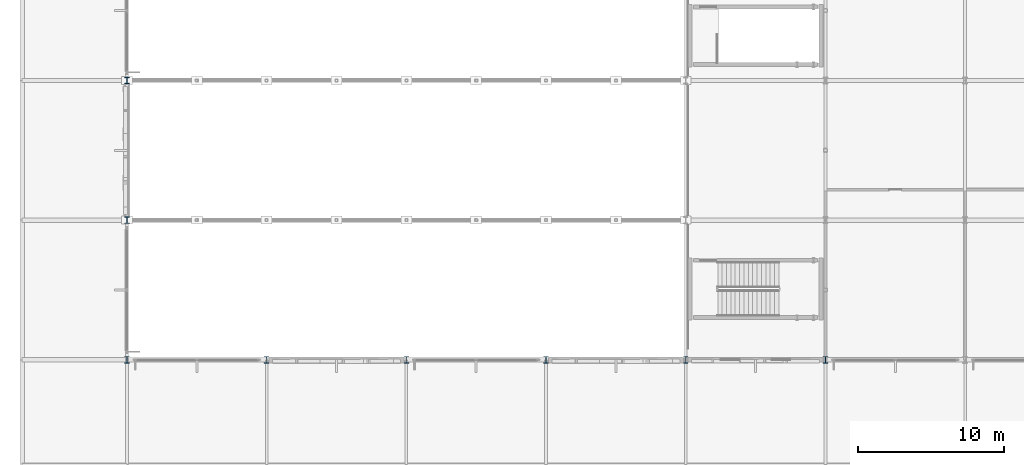
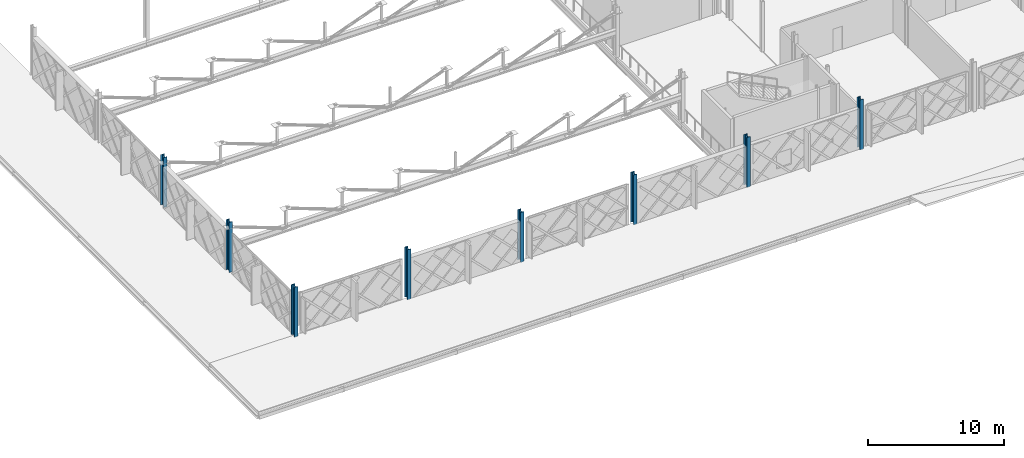
# One storey, part 1 of 101: 8 columns.
"""IFC4 building model written with IfcOpenShell, lengths in metres."""

from ifc_helpers import new_model, si_unit, direction, frame, origin, origin_2d, place, context, subcontext, project, spatial, i_section, extrude, material, material_profile, profile_set, type_object, element, save


model = new_model("IFC4")

# Units and contexts
model_context = context("Model", 3, precision=1e-05, world=origin(), true_north=direction((0.0, 1.0)))
body_context = subcontext(model_context, "Body", "Model", "MODEL_VIEW")
ifc_project = project(units=[si_unit("LENGTHUNIT", "METRE"), si_unit("AREAUNIT", "SQUARE_METRE"), si_unit("VOLUMEUNIT", "CUBIC_METRE"), si_unit("PLANEANGLEUNIT", "RADIAN"), si_unit("MASSUNIT", "GRAM", prefix="KILO")], contexts=[model_context])

# Site, building, storey
site_placement = place(None, origin())
site = spatial("IfcSite", under=ifc_project, at=site_placement, CompositionType="ELEMENT")
building_placement = place(site_placement, origin())
building = spatial("IfcBuilding", under=site, at=building_placement, Name="Zevrakil Square Congress Hotel", CompositionType="ELEMENT")
storey_placement = place(building_placement, frame((0.0, 0.0, 5.39990234375)))
storey = spatial("IfcBuildingStorey", under=building, at=storey_placement, Name="L02", CompositionType="ELEMENT", Elevation=5.39990234375)

# Columns
ifc_material = material(Name="Steel S355", Category="steel")
ifc_material_profile = material_profile(ifc_material, i_section(OverallWidth=0.300048828125, OverallDepth=0.449951171875, WebThickness=0.013916015625, FlangeThickness=0.02587890625, FilletRadius=0.027099609375, at=origin_2d()), Name="HEB 450")
ifc_profile_set = profile_set([ifc_material_profile], Name="Steel S355")
column_type = type_object("IfcColumnType", Name="COL-HEB450", PredefinedType="COLUMN", material=ifc_profile_set)
for number, where, z_axis, x_axis, name in (
    (1, (7.199951171875, 7.199951171875, 0.0), (0.0, 0.0, 1.0), (1.0, 0.0, 0.0), "L02 column C-015"),
    (2, (7.199951171875, 16.800048828125, 0.0), (0.0, 0.0, 1.0), (1.0, 0.0, 0.0), "L02 column C-016"),
    (3, (7.199951171875, 26.39990234375, 0.0), (0.0, 0.0, 1.0), (1.0, 0.0, 0.0), "L02 column C-017"),
    (4, (16.800048828125, 7.199951171875, 0.0), (0.0, 0.0, 1.0), (1.0, 0.0, 0.0), "L02 column C-027"),
    (5, (26.39990234375, 7.199951171875, 0.0), (0.0, 0.0, 1.0), (1.0, 0.0, 0.0), "L02 column C-041"),
    (6, (36.0, 7.199951171875, 0.0), (0.0, 0.0, 1.0), (1.0, 0.0, 0.0), "L02 column C-054"),
    (7, (45.60009765625, 7.199951171875, 0.0), (0.0, 0.0, 1.0), (1.0, 0.0, 0.0), "L02 column C-068"),
    (8, (55.199951171875, 7.199951171875, 0.0), (0.0, 0.0, 1.0), (1.0, 0.0, 0.0), "L02 column C-082"),
):
    element("IfcColumn", number, at=place(storey_placement, frame(where, z_axis=z_axis, x_axis=x_axis)), inside=storey, type_object=column_type, Name=name, PredefinedType="COLUMN", context=body_context, shape_type="SweptSolid", body=[
        extrude(i_section(OverallWidth=0.300048828125, OverallDepth=0.449951171875, WebThickness=0.013916015625, FlangeThickness=0.02587890625, FilletRadius=0.027099609375, at=origin_2d()), origin(), (0.0, 0.0, 1.0), 4.5),
    ])

save(model, "model.ifc")
